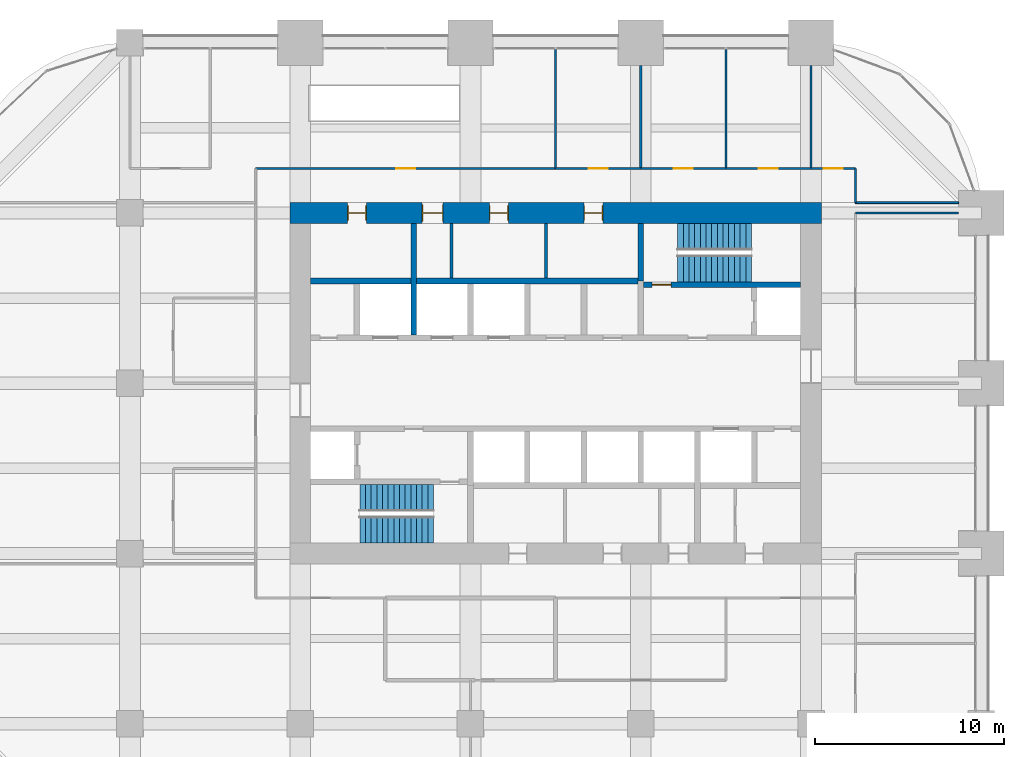
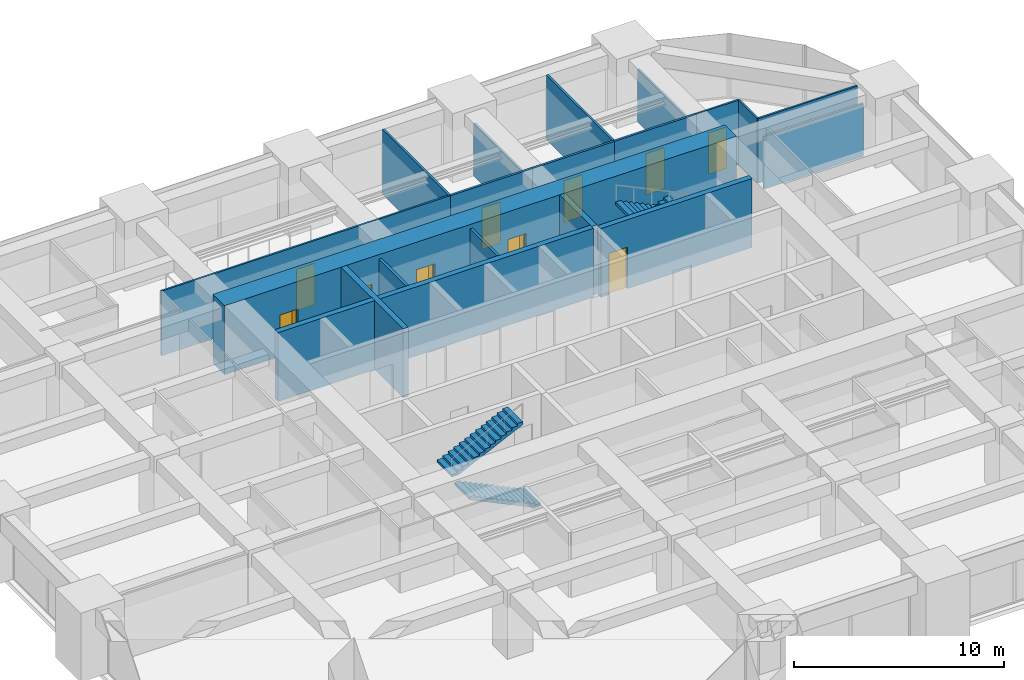
# One storey, part 31 of 32: 19 walls, 10 doors, 4 stair flights, 10 openings, 2 elements without a shape of their own.
"""IFC4 building model written with IfcOpenShell, lengths in metres."""

from ifc_helpers import new_model, si_unit, direction, frame, frame_2d, origin, place, context, subcontext, project, spatial, polyline, rectangle, outline, extrude, material, layer, layer_set, type_object, element, fill, aggregate, save


model = new_model("IFC4")

# Units and contexts
model_context = context("Model", 3, precision=1e-05, world=origin(), true_north=direction((0.0, 1.0)))
body_context = subcontext(model_context, "Body", "Model", "MODEL_VIEW")
ifc_project = project(units=[si_unit("LENGTHUNIT", "METRE"), si_unit("AREAUNIT", "SQUARE_METRE"), si_unit("VOLUMEUNIT", "CUBIC_METRE"), si_unit("PLANEANGLEUNIT", "RADIAN"), si_unit("MASSUNIT", "GRAM", prefix="KILO")], contexts=[model_context])

# Site, building, storey
site_placement = place(None, origin())
site = spatial("IfcSite", under=ifc_project, at=site_placement, CompositionType="ELEMENT")
building_placement = place(site_placement, origin())
building = spatial("IfcBuilding", under=site, at=building_placement, Name="Zorevar Civic Tower", CompositionType="ELEMENT")
storey_placement = place(building_placement, frame((0.0, 0.0, 198.199951171875)))
storey = spatial("IfcBuildingStorey", under=building, at=storey_placement, Name="L48", CompositionType="ELEMENT", Elevation=198.199951171875)

# Wall, openings, doors
ifc_material_1 = material(Name="Concrete C50/60", Category="concrete")
ifc_layer_1 = layer(ifc_material_1, 1.10009765625)
ifc_layer_set_1 = layer_set([ifc_layer_1], Name="Core wall 1100")
wall_type_1 = type_object("IfcWallType", Name="Core wall 1100", PredefinedType="SHEAR", material=ifc_layer_set_1)
wall_1_placement = place(storey_placement, frame((45.550048828125, 36.0, 0.0), z_axis=(0.0, 0.0, 1.0), x_axis=(-1.0, 0.0, 0.0)))
wall_1 = element("IfcWall", 1, at=wall_1_placement, inside=storey, type_object=wall_type_1, Name="Core wall N L48", PredefinedType="SHEAR", context=body_context, shape_type="SweptSolid", body=[
    extrude(rectangle(XDim=28.10009765625, YDim=1.10009765625, at=frame_2d((14.050048828125, 0.0))), origin(), (0.0, 0.0, 1.0), 4.0),
])
opening_1_placement = place(wall_1_placement, frame((11.550048828125, 0.0, 0.0)))
opening_1 = element("IfcOpeningElement", 2, at=opening_1_placement, cuts=wall_1, Name="Opening L48.07", PredefinedType="OPENING", context=body_context, shape_type="SweptSolid", body=[
    extrude(rectangle(XDim=1.0, YDim=2.39990234375, at=frame_2d((0.5, 1.199951171875))), frame((0.0, 0.56005859375, 0.0), z_axis=(0.0, -1.0, 0.0), x_axis=(1.0, 0.0, 0.0)), (0.0, 0.0, 1.0), 1.1201171875),
])
opening_2_placement = place(wall_1_placement, frame((16.550048828125, 0.0, 0.0)))
opening_2 = element("IfcOpeningElement", 3, at=opening_2_placement, cuts=wall_1, Name="Opening L48.08", PredefinedType="OPENING", context=body_context, shape_type="SweptSolid", body=[
    extrude(rectangle(XDim=1.0, YDim=2.39990234375, at=frame_2d((0.5, 1.199951171875))), frame((0.0, 0.56005859375, 0.0), z_axis=(0.0, -1.0, 0.0), x_axis=(1.0, 0.0, 0.0)), (0.0, 0.0, 1.0), 1.1201171875),
])
opening_3_placement = place(wall_1_placement, frame((20.0, 0.0, 0.0)))
opening_3 = element("IfcOpeningElement", 4, at=opening_3_placement, cuts=wall_1, Name="Opening L48.09", PredefinedType="OPENING", context=body_context, shape_type="SweptSolid", body=[
    extrude(rectangle(XDim=1.10009765625, YDim=2.39990234375, at=frame_2d((0.550048828125, 1.199951171875))), frame((0.0, 0.56005859375, 0.0), z_axis=(0.0, -1.0, 0.0), x_axis=(1.0, 0.0, 0.0)), (0.0, 0.0, 1.0), 1.1201171875),
])
opening_4_placement = place(wall_1_placement, frame((24.050048828125, 0.0, 0.0)))
opening_4 = element("IfcOpeningElement", 5, at=opening_4_placement, cuts=wall_1, Name="Opening L48.10", PredefinedType="OPENING", context=body_context, shape_type="SweptSolid", body=[
    extrude(rectangle(XDim=1.0, YDim=2.39990234375, at=frame_2d((0.5, 1.199951171875))), frame((0.0, 0.56005859375, 0.0), z_axis=(0.0, -1.0, 0.0), x_axis=(1.0, 0.0, 0.0)), (0.0, 0.0, 1.0), 1.1201171875),
])
ifc_material_2 = material(Name="Timber door set", Category="wood")
door_type_1 = type_object("IfcDoorType", Name="Door D1 1000x2400", OperationType="SINGLE_SWING_LEFT", PredefinedType="DOOR", material=ifc_material_2)
door_1_placement = place(opening_1_placement, origin())
door_1 = element("IfcDoor", 6, at=door_1_placement, inside=storey, type_object=door_type_1, Name="Door L48 06", OperationType="SINGLE_SWING_RIGHT", OverallHeight=2.39990234375, OverallWidth=1.0, PredefinedType="DOOR", context=body_context, shape_type="SweptSolid", body=[
    extrude(rectangle(XDim=1.0, YDim=2.39990234375, at=frame_2d((0.5, 1.199951171875))), frame((0.0, 0.02490234375, 0.0), z_axis=(0.0, -1.0, 0.0), x_axis=(1.0, 0.0, 0.0)), (0.0, 0.0, 1.0), 0.050048828125),
    extrude(rectangle(XDim=0.04, YDim=2.39990234375, at=frame_2d((0.02001953125, 1.199951171875))), frame((0.0, 0.39990234375, 0.0), z_axis=(0.0, -1.0, 0.0), x_axis=(1.0, 0.0, 0.0)), (0.0, 0.0, 1.0), 0.800048828125),
    extrude(rectangle(XDim=0.04, YDim=2.39990234375, at=frame_2d((0.97998046875, 1.199951171875))), frame((0.0, 0.39990234375, 0.0), z_axis=(0.0, -1.0, 0.0), x_axis=(1.0, 0.0, 0.0)), (0.0, 0.0, 1.0), 0.800048828125),
    extrude(rectangle(XDim=1.0, YDim=0.04, at=frame_2d((0.5, 2.3798828125))), frame((0.0, 0.39990234375, 0.0), z_axis=(0.0, -1.0, 0.0), x_axis=(1.0, 0.0, 0.0)), (0.0, 0.0, 1.0), 0.800048828125),
])
fill(opening_1, door_1)
door_2_placement = place(opening_2_placement, origin())
door_2 = element("IfcDoor", 7, at=door_2_placement, inside=storey, type_object=door_type_1, Name="Door L48 07", OperationType="SINGLE_SWING_LEFT", OverallHeight=2.39990234375, OverallWidth=1.0, PredefinedType="DOOR", context=body_context, shape_type="SweptSolid", body=[
    extrude(rectangle(XDim=1.0, YDim=2.39990234375, at=frame_2d((0.5, 1.199951171875))), frame((0.0, 0.02490234375, 0.0), z_axis=(0.0, -1.0, 0.0), x_axis=(1.0, 0.0, 0.0)), (0.0, 0.0, 1.0), 0.050048828125),
    extrude(rectangle(XDim=0.04, YDim=2.39990234375, at=frame_2d((0.02001953125, 1.199951171875))), frame((0.0, 0.39990234375, 0.0), z_axis=(0.0, -1.0, 0.0), x_axis=(1.0, 0.0, 0.0)), (0.0, 0.0, 1.0), 0.800048828125),
    extrude(rectangle(XDim=0.04, YDim=2.39990234375, at=frame_2d((0.97998046875, 1.199951171875))), frame((0.0, 0.39990234375, 0.0), z_axis=(0.0, -1.0, 0.0), x_axis=(1.0, 0.0, 0.0)), (0.0, 0.0, 1.0), 0.800048828125),
    extrude(rectangle(XDim=1.0, YDim=0.04, at=frame_2d((0.5, 2.3798828125))), frame((0.0, 0.39990234375, 0.0), z_axis=(0.0, -1.0, 0.0), x_axis=(1.0, 0.0, 0.0)), (0.0, 0.0, 1.0), 0.800048828125),
])
fill(opening_2, door_2)
door_3_placement = place(opening_4_placement, origin())
door_3 = element("IfcDoor", 8, at=door_3_placement, inside=storey, type_object=door_type_1, Name="Door L48 09", OperationType="SINGLE_SWING_LEFT", OverallHeight=2.39990234375, OverallWidth=1.0, PredefinedType="DOOR", context=body_context, shape_type="SweptSolid", body=[
    extrude(rectangle(XDim=1.0, YDim=2.39990234375, at=frame_2d((0.5, 1.199951171875))), frame((0.0, 0.02490234375, 0.0), z_axis=(0.0, -1.0, 0.0), x_axis=(1.0, 0.0, 0.0)), (0.0, 0.0, 1.0), 0.050048828125),
    extrude(rectangle(XDim=0.04, YDim=2.39990234375, at=frame_2d((0.02001953125, 1.199951171875))), frame((0.0, 0.39990234375, 0.0), z_axis=(0.0, -1.0, 0.0), x_axis=(1.0, 0.0, 0.0)), (0.0, 0.0, 1.0), 0.800048828125),
    extrude(rectangle(XDim=0.04, YDim=2.39990234375, at=frame_2d((0.97998046875, 1.199951171875))), frame((0.0, 0.39990234375, 0.0), z_axis=(0.0, -1.0, 0.0), x_axis=(1.0, 0.0, 0.0)), (0.0, 0.0, 1.0), 0.800048828125),
    extrude(rectangle(XDim=1.0, YDim=0.04, at=frame_2d((0.5, 2.3798828125))), frame((0.0, 0.39990234375, 0.0), z_axis=(0.0, -1.0, 0.0), x_axis=(1.0, 0.0, 0.0)), (0.0, 0.0, 1.0), 0.800048828125),
])
fill(opening_4, door_3)
ifc_material_3 = material(Name="Timber door set", Category="wood")
door_type_2 = type_object("IfcDoorType", Name="Door D5 1100x2400", OperationType="SINGLE_SWING_LEFT", PredefinedType="DOOR", material=ifc_material_3)
door_4_placement = place(opening_3_placement, origin())
door_4 = element("IfcDoor", 9, at=door_4_placement, inside=storey, type_object=door_type_2, Name="Door L48 08", OperationType="SINGLE_SWING_LEFT", OverallHeight=2.39990234375, OverallWidth=1.10009765625, PredefinedType="DOOR", context=body_context, shape_type="SweptSolid", body=[
    extrude(rectangle(XDim=1.10009765625, YDim=2.39990234375, at=frame_2d((0.550048828125, 1.199951171875))), frame((0.0, 0.02490234375, 0.0), z_axis=(0.0, -1.0, 0.0), x_axis=(1.0, 0.0, 0.0)), (0.0, 0.0, 1.0), 0.050048828125),
    extrude(rectangle(XDim=0.04, YDim=2.39990234375, at=frame_2d((0.02001953125, 1.199951171875))), frame((0.0, 0.43994140625, 0.0), z_axis=(0.0, -1.0, 0.0), x_axis=(1.0, 0.0, 0.0)), (0.0, 0.0, 1.0), 0.880126953125),
    extrude(rectangle(XDim=0.04, YDim=2.39990234375, at=frame_2d((1.080078125, 1.199951171875))), frame((0.0, 0.43994140625, 0.0), z_axis=(0.0, -1.0, 0.0), x_axis=(1.0, 0.0, 0.0)), (0.0, 0.0, 1.0), 0.880126953125),
    extrude(rectangle(XDim=1.10009765625, YDim=0.04, at=frame_2d((0.550048828125, 2.3798828125))), frame((0.0, 0.43994140625, 0.0), z_axis=(0.0, -1.0, 0.0), x_axis=(1.0, 0.0, 0.0)), (0.0, 0.0, 1.0), 0.880126953125),
])
fill(opening_3, door_4)

# Wall
ifc_material_4 = material(Name="Laminated glass in black aluminium frame", Category="aluminium")
ifc_layer_2 = layer(ifc_material_4, 0.10009765625)
ifc_layer_set_2 = layer_set([ifc_layer_2], Name="Glazed partition 100")
wall_type_2 = type_object("IfcWallType", Name="Glazed partition 100", PredefinedType="PARTITIONING", material=ifc_layer_set_2)
wall_2_placement = place(storey_placement, frame((47.35009765625, 36.550048828125, 0.0), z_axis=(0.0, 0.0, 1.0), x_axis=(1.0, 0.0, 0.0)))
element("IfcWall", 10, at=wall_2_placement, inside=storey, type_object=wall_type_2, Name="Glazed partition 100 L48", PredefinedType="PARTITIONING", context=body_context, shape_type="SweptSolid", body=[
    extrude(rectangle(XDim=5.449951171875, YDim=0.10009765625, at=frame_2d((2.72509765625, 0.0))), origin(), (0.0, 0.0, 1.0), 3.75),
])

# Wall, opening, door
wall_3_placement = place(storey_placement, frame((15.64990234375, 38.35009765625, 0.0), z_axis=(0.0, 0.0, 1.0), x_axis=(1.0, 0.0, 0.0)))
wall_3 = element("IfcWall", 11, at=wall_3_placement, inside=storey, type_object=wall_type_2, Name="Glazed partition 100 L48", PredefinedType="PARTITIONING", context=body_context, shape_type="SweptSolid", body=[
    extrude(rectangle(XDim=15.85009765625, YDim=0.10009765625, at=frame_2d((7.925048828125, 0.0))), origin(), (0.0, 0.0, 1.0), 3.75),
])
opening_5_placement = place(wall_3_placement, frame((7.425048828125, 0.0, 0.0)))
opening_5 = element("IfcOpeningElement", 12, at=opening_5_placement, cuts=wall_3, Name="Opening L48.25", PredefinedType="OPENING", context=body_context, shape_type="SweptSolid", body=[
    extrude(rectangle(XDim=1.0, YDim=2.39990234375, at=frame_2d((0.5, 1.199951171875))), frame((0.0, 0.06005859375, 0.0), z_axis=(0.0, -1.0, 0.0), x_axis=(1.0, 0.0, 0.0)), (0.0, 0.0, 1.0), 0.1201171875),
])
ifc_material_5 = material(Name="Timber door set", Category="wood")
door_type_3 = type_object("IfcDoorType", Name="Glazed door GD1 1000x2400", OperationType="SINGLE_SWING_LEFT", PredefinedType="DOOR", material=ifc_material_5)
door_5_placement = place(opening_5_placement, origin())
door_5 = element("IfcDoor", 13, at=door_5_placement, inside=storey, type_object=door_type_3, Name="Door L48 D1", OperationType="SINGLE_SWING_LEFT", OverallHeight=2.39990234375, OverallWidth=1.0, PredefinedType="DOOR", context=body_context, shape_type="SweptSolid", body=[
    extrude(rectangle(XDim=1.0, YDim=2.39990234375, at=frame_2d((0.5, 1.199951171875))), frame((0.0, 0.02001953125, 0.0), z_axis=(0.0, -1.0, 0.0), x_axis=(1.0, 0.0, 0.0)), (0.0, 0.0, 1.0), 0.0400390625),
])
fill(opening_5, door_5)

wall_4_placement = place(storey_placement, frame((45.0, 38.35009765625, 0.0), z_axis=(0.0, 0.0, 1.0), x_axis=(1.0, 0.0, 0.0)))
wall_4 = element("IfcWall", 14, at=wall_4_placement, inside=storey, type_object=wall_type_2, Name="Glazed partition 100 L48", PredefinedType="PARTITIONING", context=body_context, shape_type="SweptSolid", body=[
    extrude(rectangle(XDim=2.35009765625, YDim=0.10009765625, at=frame_2d((1.175048828125, 0.0))), origin(), (0.0, 0.0, 1.0), 3.75),
])
opening_6_placement = place(wall_4_placement, frame((0.675048828125, 0.0, 0.0)))
opening_6 = element("IfcOpeningElement", 15, at=opening_6_placement, cuts=wall_4, Name="Opening L48.26", PredefinedType="OPENING", context=body_context, shape_type="SweptSolid", body=[
    extrude(rectangle(XDim=1.0, YDim=2.39990234375, at=frame_2d((0.5, 1.199951171875))), frame((0.0, 0.06005859375, 0.0), z_axis=(0.0, -1.0, 0.0), x_axis=(1.0, 0.0, 0.0)), (0.0, 0.0, 1.0), 0.1201171875),
])
door_6_placement = place(opening_6_placement, origin())
door_6 = element("IfcDoor", 16, at=door_6_placement, inside=storey, type_object=door_type_3, Name="Door L48 D1", OperationType="SINGLE_SWING_RIGHT", OverallHeight=2.39990234375, OverallWidth=1.0, PredefinedType="DOOR", context=body_context, shape_type="SweptSolid", body=[
    extrude(rectangle(XDim=1.0, YDim=2.39990234375, at=frame_2d((0.5, 1.199951171875))), frame((0.0, 0.02001953125, 0.0), z_axis=(0.0, -1.0, 0.0), x_axis=(1.0, 0.0, 0.0)), (0.0, 0.0, 1.0), 0.0400390625),
])
fill(opening_6, door_6)

# Wall
wall_5_placement = place(storey_placement, frame((47.35009765625, 36.550048828125, 0.0), z_axis=(0.0, 0.0, 1.0), x_axis=(0.0, 1.0, 0.0)))
element("IfcWall", 17, at=wall_5_placement, inside=storey, type_object=wall_type_2, Name="Glazed partition 100 L48", PredefinedType="PARTITIONING", context=body_context, shape_type="SweptSolid", body=[
    extrude(rectangle(XDim=1.800048828125, YDim=0.10009765625, at=frame_2d((0.89990234375, 0.0))), origin(), (0.0, 0.0, 1.0), 3.75),
])

# Wall, opening, door
ifc_material_6 = material(Name="Concrete C40/50", Category="concrete")
ifc_layer_3 = layer(ifc_material_6, 0.300048828125)
ifc_layer_set_3 = layer_set([ifc_layer_3], Name="Inner core wall 300")
wall_type_3 = type_object("IfcWallType", Name="Inner core wall 300", PredefinedType="SHEAR", material=ifc_layer_set_3)
wall_6_placement = place(storey_placement, frame((36.14990234375, 32.199951171875, 0.0), z_axis=(0.0, 0.0, 1.0), x_axis=(1.0, 0.0, 0.0)))
wall_6 = element("IfcWall", 18, at=wall_6_placement, inside=storey, type_object=wall_type_3, Name="Inner core wall N00 L48", PredefinedType="SHEAR", context=body_context, shape_type="SweptSolid", body=[
    extrude(rectangle(XDim=8.300048828125, YDim=0.300048828125, at=frame_2d((4.14990234375, 0.0))), origin(), (0.0, 0.0, 1.0), 4.0),
])
opening_7_placement = place(wall_6_placement, frame((0.449951171875, 0.0, 0.0)))
opening_7 = element("IfcOpeningElement", 19, at=opening_7_placement, cuts=wall_6, Name="Opening L48.12", PredefinedType="OPENING", context=body_context, shape_type="SweptSolid", body=[
    extrude(rectangle(XDim=1.0, YDim=2.39990234375, at=frame_2d((0.5, 1.199951171875))), frame((0.0, 0.159912109375, 0.0), z_axis=(0.0, -1.0, 0.0), x_axis=(1.0, 0.0, 0.0)), (0.0, 0.0, 1.0), 0.320068359375),
])
ifc_material_7 = material(Name="Steel door set", Category="steel")
door_type_4 = type_object("IfcDoorType", Name="Fire door FD1 1000x2400", OperationType="SINGLE_SWING_LEFT", PredefinedType="DOOR", material=ifc_material_7)
door_7_placement = place(opening_7_placement, origin())
door_7 = element("IfcDoor", 20, at=door_7_placement, inside=storey, type_object=door_type_4, Name="Door L48 11", OperationType="SINGLE_SWING_RIGHT", OverallHeight=2.39990234375, OverallWidth=1.0, PredefinedType="DOOR", context=body_context, shape_type="SweptSolid", body=[
    extrude(rectangle(XDim=1.0, YDim=2.39990234375, at=frame_2d((0.5, 1.199951171875))), frame((0.0, 0.030029296875, 0.0), z_axis=(0.0, -1.0, 0.0), x_axis=(1.0, 0.0, 0.0)), (0.0, 0.0, 1.0), 0.06005859375),
])
fill(opening_7, door_7)

# Walls
wall_7_placement = place(storey_placement, frame((36.0, 32.39990234375, 0.0), z_axis=(0.0, 0.0, 1.0), x_axis=(0.0, 1.0, 0.0)))
element("IfcWall", 21, at=wall_7_placement, inside=storey, type_object=wall_type_3, Name="Inner core wall N01 L48", PredefinedType="SHEAR", context=body_context, shape_type="SweptSolid", body=[
    extrude(rectangle(XDim=3.050048828125, YDim=0.300048828125, at=frame_2d((1.52490234375, 0.0))), origin(), (0.0, 0.0, 1.0), 4.0),
])
wall_8_placement = place(storey_placement, frame((18.550048828125, 32.39990234375, 0.0), z_axis=(0.0, 0.0, 1.0), x_axis=(1.0, 0.0, 0.0)))
element("IfcWall", 22, at=wall_8_placement, inside=storey, type_object=wall_type_3, Name="Inner core wall N04 L48", PredefinedType="SHEAR", context=body_context, shape_type="SweptSolid", body=[
    extrude(rectangle(XDim=17.300048828125, YDim=0.300048828125, at=frame_2d((8.64990234375, 0.0))), origin(), (0.0, 0.0, 1.0), 4.0),
])
wall_9_placement = place(storey_placement, frame((24.0, 29.550048828125, 0.0), z_axis=(0.0, 0.0, 1.0), x_axis=(0.0, 1.0, 0.0)))
element("IfcWall", 23, at=wall_9_placement, inside=storey, type_object=wall_type_3, Name="Inner core wall N08 L48", PredefinedType="SHEAR", context=body_context, shape_type="SweptSolid", body=[
    extrude(rectangle(XDim=5.89990234375, YDim=0.300048828125, at=frame_2d((2.949951171875, 0.0))), origin(), (0.0, 0.0, 1.0), 4.0),
])
ifc_material_8 = material(Name="Gypsum board on steel studs", Category="steel")
ifc_layer_4 = layer(ifc_material_8, 0.1201171875)
ifc_layer_set_4 = layer_set([ifc_layer_4], Name="Partition 120")
wall_type_4 = type_object("IfcWallType", Name="Partition 120", PredefinedType="PARTITIONING", material=ifc_layer_set_4)
wall_10_placement = place(storey_placement, frame((47.35009765625, 36.0, 0.0), z_axis=(0.0, 0.0, 1.0), x_axis=(1.0, 0.0, 0.0)))
element("IfcWall", 24, at=wall_10_placement, inside=storey, type_object=wall_type_4, Name="Partition 120 L48", PredefinedType="PARTITIONING", context=body_context, shape_type="SweptSolid", body=[
    extrude(rectangle(XDim=5.449951171875, YDim=0.1201171875, at=frame_2d((2.72509765625, 0.0))), origin(), (0.0, 0.0, 1.0), 3.050048828125),
])

# Wall, opening, door
wall_11_placement = place(storey_placement, frame((31.5, 38.35009765625, 0.0), z_axis=(0.0, 0.0, 1.0), x_axis=(1.0, 0.0, 0.0)))
wall_11 = element("IfcWall", 25, at=wall_11_placement, inside=storey, type_object=wall_type_4, Name="Partition 120 L48", PredefinedType="PARTITIONING", context=body_context, shape_type="SweptSolid", body=[
    extrude(rectangle(XDim=4.5, YDim=0.1201171875, at=frame_2d((2.25, 0.0))), origin(), (0.0, 0.0, 1.0), 3.75),
])
opening_8_placement = place(wall_11_placement, frame((1.75, 0.0, 0.0)))
opening_8 = element("IfcOpeningElement", 26, at=opening_8_placement, cuts=wall_11, Name="Opening L48.22", PredefinedType="OPENING", context=body_context, shape_type="SweptSolid", body=[
    extrude(rectangle(XDim=1.0, YDim=2.39990234375, at=frame_2d((0.5, 1.199951171875))), frame((0.0, 0.070068359375, 0.0), z_axis=(0.0, -1.0, 0.0), x_axis=(1.0, 0.0, 0.0)), (0.0, 0.0, 1.0), 0.14013671875),
])
door_8_placement = place(opening_8_placement, origin())
door_8 = element("IfcDoor", 27, at=door_8_placement, inside=storey, type_object=door_type_1, Name="Door L48 D1", OperationType="SINGLE_SWING_RIGHT", OverallHeight=2.39990234375, OverallWidth=1.0, PredefinedType="DOOR", context=body_context, shape_type="SweptSolid", body=[
    extrude(rectangle(XDim=1.0, YDim=2.39990234375, at=frame_2d((0.5, 1.199951171875))), frame((0.0, 0.02490234375, 0.0), z_axis=(0.0, -1.0, 0.0), x_axis=(1.0, 0.0, 0.0)), (0.0, 0.0, 1.0), 0.050048828125),
])
fill(opening_8, door_8)

wall_12_placement = place(storey_placement, frame((36.0, 38.35009765625, 0.0), z_axis=(0.0, 0.0, 1.0), x_axis=(1.0, 0.0, 0.0)))
wall_12 = element("IfcWall", 28, at=wall_12_placement, inside=storey, type_object=wall_type_4, Name="Partition 120 L48", PredefinedType="PARTITIONING", context=body_context, shape_type="SweptSolid", body=[
    extrude(rectangle(XDim=4.5, YDim=0.1201171875, at=frame_2d((2.25, 0.0))), origin(), (0.0, 0.0, 1.0), 3.75),
])
opening_9_placement = place(wall_12_placement, frame((1.75, 0.0, 0.0)))
opening_9 = element("IfcOpeningElement", 29, at=opening_9_placement, cuts=wall_12, Name="Opening L48.23", PredefinedType="OPENING", context=body_context, shape_type="SweptSolid", body=[
    extrude(rectangle(XDim=1.0, YDim=2.39990234375, at=frame_2d((0.5, 1.199951171875))), frame((0.0, 0.070068359375, 0.0), z_axis=(0.0, -1.0, 0.0), x_axis=(1.0, 0.0, 0.0)), (0.0, 0.0, 1.0), 0.14013671875),
])
door_9_placement = place(opening_9_placement, origin())
door_9 = element("IfcDoor", 30, at=door_9_placement, inside=storey, type_object=door_type_1, Name="Door L48 D1", OperationType="SINGLE_SWING_LEFT", OverallHeight=2.39990234375, OverallWidth=1.0, PredefinedType="DOOR", context=body_context, shape_type="SweptSolid", body=[
    extrude(rectangle(XDim=1.0, YDim=2.39990234375, at=frame_2d((0.5, 1.199951171875))), frame((0.0, 0.02490234375, 0.0), z_axis=(0.0, -1.0, 0.0), x_axis=(1.0, 0.0, 0.0)), (0.0, 0.0, 1.0), 0.050048828125),
])
fill(opening_9, door_9)

wall_13_placement = place(storey_placement, frame((40.5, 38.35009765625, 0.0), z_axis=(0.0, 0.0, 1.0), x_axis=(1.0, 0.0, 0.0)))
wall_13 = element("IfcWall", 31, at=wall_13_placement, inside=storey, type_object=wall_type_4, Name="Partition 120 L48", PredefinedType="PARTITIONING", context=body_context, shape_type="SweptSolid", body=[
    extrude(rectangle(XDim=4.5, YDim=0.1201171875, at=frame_2d((2.25, 0.0))), origin(), (0.0, 0.0, 1.0), 3.75),
])
opening_10_placement = place(wall_13_placement, frame((1.75, 0.0, 0.0)))
opening_10 = element("IfcOpeningElement", 32, at=opening_10_placement, cuts=wall_13, Name="Opening L48.24", PredefinedType="OPENING", context=body_context, shape_type="SweptSolid", body=[
    extrude(rectangle(XDim=1.0, YDim=2.39990234375, at=frame_2d((0.5, 1.199951171875))), frame((0.0, 0.070068359375, 0.0), z_axis=(0.0, -1.0, 0.0), x_axis=(1.0, 0.0, 0.0)), (0.0, 0.0, 1.0), 0.14013671875),
])
door_10_placement = place(opening_10_placement, origin())
door_10 = element("IfcDoor", 33, at=door_10_placement, inside=storey, type_object=door_type_1, Name="Door L48 D1", OperationType="SINGLE_SWING_RIGHT", OverallHeight=2.39990234375, OverallWidth=1.0, PredefinedType="DOOR", context=body_context, shape_type="SweptSolid", body=[
    extrude(rectangle(XDim=1.0, YDim=2.39990234375, at=frame_2d((0.5, 1.199951171875))), frame((0.0, 0.02490234375, 0.0), z_axis=(0.0, -1.0, 0.0), x_axis=(1.0, 0.0, 0.0)), (0.0, 0.0, 1.0), 0.050048828125),
])
fill(opening_10, door_10)

# Walls
wall_14_placement = place(storey_placement, frame((31.5, 38.35009765625, 0.0), z_axis=(0.0, 0.0, 1.0), x_axis=(0.0, 1.0, 0.0)))
element("IfcWall", 34, at=wall_14_placement, inside=storey, type_object=wall_type_4, Name="Partition 120 L48", PredefinedType="PARTITIONING", context=body_context, shape_type="SweptSolid", body=[
    extrude(rectangle(XDim=6.33984375, YDim=0.1201171875, at=frame_2d((3.169921875, 0.0))), origin(), (0.0, 0.0, 1.0), 3.75),
])
wall_15_placement = place(storey_placement, frame((36.0, 38.35009765625, 0.0), z_axis=(0.0, 0.0, 1.0), x_axis=(0.0, 1.0, 0.0)))
element("IfcWall", 35, at=wall_15_placement, inside=storey, type_object=wall_type_4, Name="Partition 120 L48", PredefinedType="PARTITIONING", context=body_context, shape_type="SweptSolid", body=[
    extrude(rectangle(XDim=5.449951171875, YDim=0.1201171875, at=frame_2d((2.72509765625, 0.0))), origin(), (0.0, 0.0, 1.0), 3.050048828125),
])
wall_16_placement = place(storey_placement, frame((40.5, 38.35009765625, 0.0), z_axis=(0.0, 0.0, 1.0), x_axis=(0.0, 1.0, 0.0)))
element("IfcWall", 36, at=wall_16_placement, inside=storey, type_object=wall_type_4, Name="Partition 120 L48", PredefinedType="PARTITIONING", context=body_context, shape_type="SweptSolid", body=[
    extrude(rectangle(XDim=6.33984375, YDim=0.1201171875, at=frame_2d((3.169921875, 0.0))), origin(), (0.0, 0.0, 1.0), 3.75),
])
wall_17_placement = place(storey_placement, frame((45.0, 38.35009765625, 0.0), z_axis=(0.0, 0.0, 1.0), x_axis=(0.0, 1.0, 0.0)))
element("IfcWall", 37, at=wall_17_placement, inside=storey, type_object=wall_type_4, Name="Partition 120 L48", PredefinedType="PARTITIONING", context=body_context, shape_type="SweptSolid", body=[
    extrude(rectangle(XDim=5.449951171875, YDim=0.1201171875, at=frame_2d((2.72509765625, 0.0))), origin(), (0.0, 0.0, 1.0), 3.050048828125),
])
ifc_material_9 = material(Name="Gypsum board on steel studs, moisture resistant", Category="steel")
ifc_layer_5 = layer(ifc_material_9, 0.14990234375)
ifc_layer_set_5 = layer_set([ifc_layer_5], Name="WC partition 150")
wall_type_5 = type_object("IfcWallType", Name="WC partition 150", PredefinedType="PARTITIONING", material=ifc_layer_set_5)
for number, where, z_axis, x_axis, name in (
    (38, (31.0, 32.550048828125, 0.0), (0.0, 0.0, 1.0), (0.0, 1.0, 0.0), "WC partition L48"),
    (39, (26.0, 32.550048828125, 0.0), (0.0, 0.0, 1.0), (0.0, 1.0, 0.0), "WC partition L48"),
):
    element("IfcWall", number, at=place(storey_placement, frame(where, z_axis=z_axis, x_axis=x_axis)), inside=storey, type_object=wall_type_5, Name=name, PredefinedType="PARTITIONING", context=body_context, shape_type="SweptSolid", body=[
        extrude(rectangle(XDim=2.89990234375, YDim=0.14990234375, at=frame_2d((1.449951171875, 0.0))), origin(), (0.0, 0.0, 1.0), 3.75),
    ])

# Stair, stair flights
ifc_material_10 = material(Name="Precast concrete C40/50", Category="concrete")
stair_type = type_object("IfcStairType", Name="Stair ST 28R", PredefinedType="HALF_TURN_STAIR", material=ifc_material_10)
stair_1_placement = place(storey_placement, origin())
stair_1 = element("IfcStair", 40, at=stair_1_placement, inside=storey, type_object=stair_type, Name="Stair ST1 L48", PredefinedType="HALF_TURN_STAIR")
ifc_material_11 = material(Name="Precast concrete C40/50", Category="concrete")
stair_flight_type = type_object("IfcStairFlightType", Name="Stair flight", PredefinedType="STRAIGHT", material=ifc_material_11)
stair_flight_1_placement = place(storey_placement, frame((25.050048828125, 19.262451171875, 0.0), z_axis=(0.0, 0.0, 1.0), x_axis=(-1.0, 0.0, 0.0)))
stair_flight_1 = element("IfcStairFlight", 41, at=stair_flight_1_placement, type_object=stair_flight_type, Name="ST1 flight 1", NumberOfRisers=14, NumberOfTreads=13, PredefinedType="STRAIGHT", RiserHeight=0.142857143, TreadLength=0.3, context=body_context, shape_type="SweptSolid", body=[
    extrude(outline(polyline([(0.0, 0.0), (0.0, 0.142822265625), (0.300048828125, 0.142822265625), (0.300048828125, 0.28564453125), (0.60009765625, 0.28564453125), (0.60009765625, 0.428466796875), (0.89990234375, 0.428466796875), (0.89990234375, 0.571533203125), (1.199951171875, 0.571533203125), (1.199951171875, 0.71435546875), (1.5, 0.71435546875), (1.5, 0.857177734375), (1.800048828125, 0.857177734375), (1.800048828125, 1.0), (2.10009765625, 1.0), (2.10009765625, 1.142822265625), (2.39990234375, 1.142822265625), (2.39990234375, 1.28564453125), (2.699951171875, 1.28564453125), (2.699951171875, 1.428466796875), (3.0, 1.428466796875), (3.0, 1.571533203125), (3.300048828125, 1.571533203125), (3.300048828125, 1.71435546875), (3.60009765625, 1.71435546875), (3.60009765625, 1.857177734375), (3.89990234375, 1.857177734375), (3.89990234375, 2.0), (3.89990234375, 1.691162109375), (0.3486328125, 0.0), (0.0, 0.0)])), frame((0.0, 0.71240234375, 0.0), z_axis=(0.0, -1.0, 0.0), x_axis=(1.0, 0.0, 0.0)), (0.0, 0.0, 1.0), 1.425048828125),
])
stair_flight_2_placement = place(storey_placement, frame((21.14990234375, 20.9375, 2.0), z_axis=(0.0, 0.0, 1.0), x_axis=(1.0, 0.0, 0.0)))
stair_flight_2 = element("IfcStairFlight", 42, at=stair_flight_2_placement, type_object=stair_flight_type, Name="ST1 flight 2", NumberOfRisers=14, NumberOfTreads=13, PredefinedType="STRAIGHT", RiserHeight=0.142857143, TreadLength=0.3, context=body_context, shape_type="SweptSolid", body=[
    extrude(outline(polyline([(0.0, 0.0), (0.0, 0.142822265625), (0.300048828125, 0.142822265625), (0.300048828125, 0.28564453125), (0.60009765625, 0.28564453125), (0.60009765625, 0.428466796875), (0.89990234375, 0.428466796875), (0.89990234375, 0.571533203125), (1.199951171875, 0.571533203125), (1.199951171875, 0.71435546875), (1.5, 0.71435546875), (1.5, 0.857177734375), (1.800048828125, 0.857177734375), (1.800048828125, 1.0), (2.10009765625, 1.0), (2.10009765625, 1.142822265625), (2.39990234375, 1.142822265625), (2.39990234375, 1.28564453125), (2.699951171875, 1.28564453125), (2.699951171875, 1.428466796875), (3.0, 1.428466796875), (3.0, 1.571533203125), (3.300048828125, 1.571533203125), (3.300048828125, 1.71435546875), (3.60009765625, 1.71435546875), (3.60009765625, 1.857177734375), (3.89990234375, 1.857177734375), (3.89990234375, 2.0), (3.89990234375, 1.691162109375), (0.3486328125, 0.0), (0.0, 0.0)])), frame((0.0, 0.71240234375, 0.0), z_axis=(0.0, -1.0, 0.0), x_axis=(1.0, 0.0, 0.0)), (0.0, 0.0, 1.0), 1.425048828125),
])
aggregate(stair_1, [stair_flight_1, stair_flight_2])

stair_2_placement = place(storey_placement, origin())
stair_2 = element("IfcStair", 43, at=stair_2_placement, inside=storey, type_object=stair_type, Name="Stair ST2 L48", PredefinedType="HALF_TURN_STAIR")
stair_flight_3_placement = place(storey_placement, frame((37.949951171875, 34.737548828125, 0.0), z_axis=(0.0, 0.0, 1.0), x_axis=(1.0, 0.0, 0.0)))
stair_flight_3 = element("IfcStairFlight", 44, at=stair_flight_3_placement, type_object=stair_flight_type, Name="ST2 flight 1", NumberOfRisers=14, NumberOfTreads=13, PredefinedType="STRAIGHT", RiserHeight=0.142857143, TreadLength=0.3, context=body_context, shape_type="SweptSolid", body=[
    extrude(outline(polyline([(0.0, 0.0), (0.0, 0.142822265625), (0.300048828125, 0.142822265625), (0.300048828125, 0.28564453125), (0.60009765625, 0.28564453125), (0.60009765625, 0.428466796875), (0.89990234375, 0.428466796875), (0.89990234375, 0.571533203125), (1.199951171875, 0.571533203125), (1.199951171875, 0.71435546875), (1.5, 0.71435546875), (1.5, 0.857177734375), (1.800048828125, 0.857177734375), (1.800048828125, 1.0), (2.10009765625, 1.0), (2.10009765625, 1.142822265625), (2.39990234375, 1.142822265625), (2.39990234375, 1.28564453125), (2.699951171875, 1.28564453125), (2.699951171875, 1.428466796875), (3.0, 1.428466796875), (3.0, 1.571533203125), (3.300048828125, 1.571533203125), (3.300048828125, 1.71435546875), (3.60009765625, 1.71435546875), (3.60009765625, 1.857177734375), (3.89990234375, 1.857177734375), (3.89990234375, 2.0), (3.89990234375, 1.691162109375), (0.3486328125, 0.0), (0.0, 0.0)])), frame((0.0, 0.71240234375, 0.0), z_axis=(0.0, -1.0, 0.0), x_axis=(1.0, 0.0, 0.0)), (0.0, 0.0, 1.0), 1.425048828125),
])
stair_flight_4_placement = place(storey_placement, frame((41.85009765625, 33.0625, 2.0), z_axis=(0.0, 0.0, 1.0), x_axis=(-1.0, 0.0, 0.0)))
stair_flight_4 = element("IfcStairFlight", 45, at=stair_flight_4_placement, type_object=stair_flight_type, Name="ST2 flight 2", NumberOfRisers=14, NumberOfTreads=13, PredefinedType="STRAIGHT", RiserHeight=0.142857143, TreadLength=0.3, context=body_context, shape_type="SweptSolid", body=[
    extrude(outline(polyline([(0.0, 0.0), (0.0, 0.142822265625), (0.300048828125, 0.142822265625), (0.300048828125, 0.28564453125), (0.60009765625, 0.28564453125), (0.60009765625, 0.428466796875), (0.89990234375, 0.428466796875), (0.89990234375, 0.571533203125), (1.199951171875, 0.571533203125), (1.199951171875, 0.71435546875), (1.5, 0.71435546875), (1.5, 0.857177734375), (1.800048828125, 0.857177734375), (1.800048828125, 1.0), (2.10009765625, 1.0), (2.10009765625, 1.142822265625), (2.39990234375, 1.142822265625), (2.39990234375, 1.28564453125), (2.699951171875, 1.28564453125), (2.699951171875, 1.428466796875), (3.0, 1.428466796875), (3.0, 1.571533203125), (3.300048828125, 1.571533203125), (3.300048828125, 1.71435546875), (3.60009765625, 1.71435546875), (3.60009765625, 1.857177734375), (3.89990234375, 1.857177734375), (3.89990234375, 2.0), (3.89990234375, 1.691162109375), (0.3486328125, 0.0), (0.0, 0.0)])), frame((0.0, 0.71240234375, 0.0), z_axis=(0.0, -1.0, 0.0), x_axis=(1.0, 0.0, 0.0)), (0.0, 0.0, 1.0), 1.425048828125),
])
aggregate(stair_2, [stair_flight_3, stair_flight_4])

save(model, "model.ifc")
